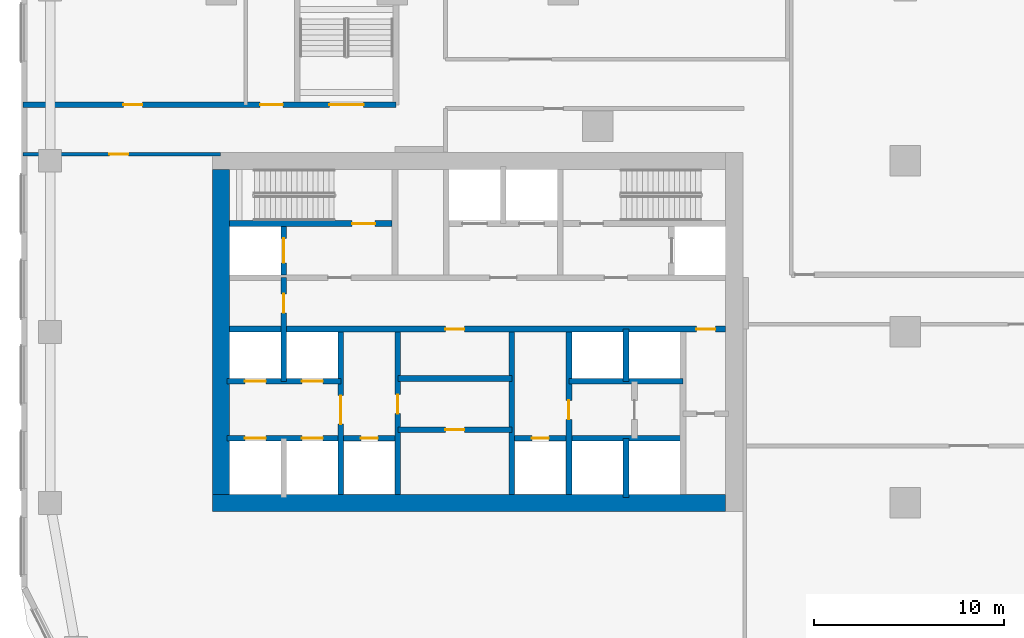
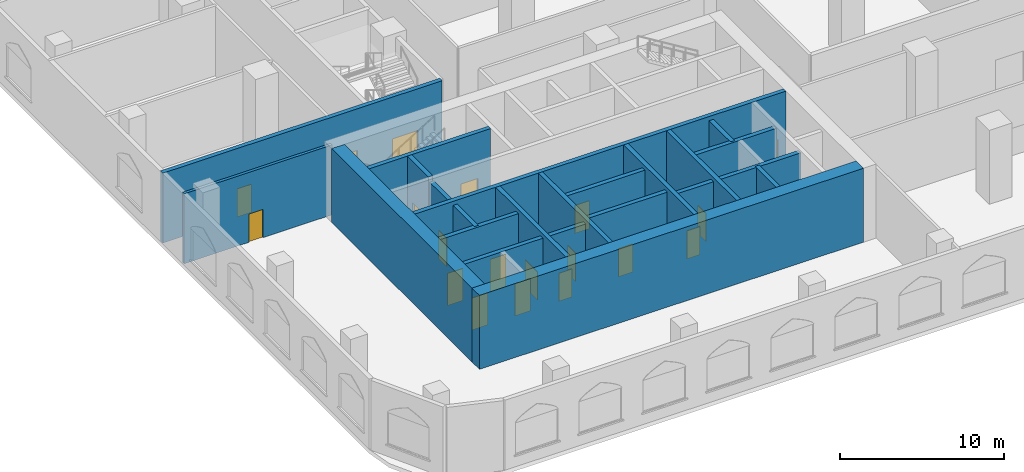
# One storey, part 3 of 31: 20 walls, 19 doors, 19 openings.
"""IFC4 building model written with IfcOpenShell, lengths in metres."""

import ifcopenshell
import ifcopenshell.guid

model = None  # the IFC model being written
_history = None  # IfcOwnerHistory: only IFC2X3 demands one
_inside = {}  # id of a spatial element -> (the spatial element, [elements in it])
_under = {}  # id of a project, library or spatial element -> (it, [spatial elements below it])
_declared = {}  # id of a project -> (the project, [libraries it declares])
_typed = {}  # id of a type object -> (the type object, [elements of that type])
_made_of = {}  # id of a material, layer set ... -> (it, [elements and type objects made of it])


def new_model(schema):
    """Start an empty IFC model of exactly this schema.

    Asked for "IFC4X3", IfcOpenShell would pick the latest addendum, in which some entities
    have other attributes; the version numbers below select the first issue.
    IFC2X3 requires an IfcOwnerHistory on every rooted entity: one is made here for all.
    """
    global model, _history
    if schema == "IFC4X3":
        model = ifcopenshell.file(schema_version=(4, 3, 0, 0))
    else:
        model = ifcopenshell.file(schema=schema)
    _inside.clear()
    _under.clear()
    _declared.clear()
    _typed.clear()
    _made_of.clear()
    _history = None
    if model.schema == "IFC2X3":
        org = make("IfcOrganization", Name="unknown")
        user = make(
            "IfcPersonAndOrganization",
            ThePerson=make("IfcPerson", FamilyName="unknown"),
            TheOrganization=org,
        )
        app = make(
            "IfcApplication",
            ApplicationDeveloper=org,
            Version="unknown",
            ApplicationFullName="unknown",
            ApplicationIdentifier="unknown",
        )
        _history = make(
            "IfcOwnerHistory",
            OwningUser=user,
            OwningApplication=app,
            ChangeAction="ADDED",
            CreationDate=0,
        )
    return model


def make(cls, **values):
    """One entity of the class cls with the attributes given. An attribute that is None is left unset."""
    return model.create_entity(
        cls, **{name: value for name, value in values.items() if value is not None}
    )


def rooted(cls, **values):
    """An entity with a GlobalId (a new one), such as an element, a storey or a relation."""
    return make(cls, GlobalId=ifcopenshell.guid.new(), OwnerHistory=_history, **values)


def si_unit(unit_type, name, prefix=None):
    """IfcSIUnit, for example si_unit("LENGTHUNIT", "METRE", prefix="MILLI")."""
    return make("IfcSIUnit", UnitType=unit_type, Prefix=prefix, Name=name)


def assignment(units):
    """IfcUnitAssignment: the units of a project."""
    return None if units is None else make("IfcUnitAssignment", Units=units)


def point(xyz):
    """IfcCartesianPoint."""
    return None if xyz is None else make("IfcCartesianPoint", Coordinates=xyz)


def direction(xyz):
    """IfcDirection."""
    return None if xyz is None else make("IfcDirection", DirectionRatios=xyz)


def frame(location, z_axis=None, x_axis=None):
    """IfcAxis2Placement3D, a coordinate frame: its origin and axes. An axis left out is left unset."""
    return make(
        "IfcAxis2Placement3D",
        Location=point(location),
        Axis=direction(z_axis),
        RefDirection=direction(x_axis),
    )


def frame_2d(location, x_axis=None):
    """IfcAxis2Placement2D, a coordinate frame in the plane: its origin and x axis."""
    return make(
        "IfcAxis2Placement2D", Location=point(location), RefDirection=direction(x_axis)
    )


def origin():
    """The frame at (0, 0, 0) with its axes left unset."""
    return frame((0.0, 0.0, 0.0))


def place(relative_to, where):
    """IfcLocalPlacement: puts the frame where relative to a parent placement (None: the world)."""
    return make(
        "IfcLocalPlacement", PlacementRelTo=relative_to, RelativePlacement=where
    )


def context(
    kind, dimensions, precision=None, world=None, true_north=None, identifier=None
):
    """IfcGeometricRepresentationContext, for example the 3D "Model" context."""
    return make(
        "IfcGeometricRepresentationContext",
        ContextIdentifier=identifier,
        ContextType=kind,
        CoordinateSpaceDimension=dimensions,
        Precision=precision,
        WorldCoordinateSystem=world,
        TrueNorth=true_north,
    )


def subcontext(parent, identifier, kind, view, scale=None):
    """IfcGeometricRepresentationSubContext, for example "Body" below "Model"."""
    return make(
        "IfcGeometricRepresentationSubContext",
        ContextIdentifier=identifier,
        ContextType=kind,
        ParentContext=parent,
        TargetScale=scale,
        TargetView=view,
    )


def project(units=None, contexts=None):
    """IfcProject with its units and contexts."""
    return rooted(
        "IfcProject",
        Name="project",
        RepresentationContexts=contexts,
        UnitsInContext=assignment(units),
    )


def spatial(cls, under=None, at=None, **own):
    """A site, building, storey or space (cls), placed at a placement, below another one or the project."""
    s = rooted(cls, ObjectPlacement=at, **own)
    if under is not None:
        _under.setdefault(under.id(), (under, []))[1].append(s)
    return s


def profile(cls, at=None, kind="AREA", **sizes):
    """A parametric profile (cls). Its sizes go by their IFC names, for example OverallWidth=200.0."""
    return make(cls, ProfileType=kind, Position=at, **sizes)


def rectangle(**sizes):
    """IfcRectangleProfileDef."""
    return profile("IfcRectangleProfileDef", **sizes)


def extrude(swept, where, along, depth):
    """IfcExtrudedAreaSolid: the profile swept, set in the frame where, extruded along a direction by depth."""
    return make(
        "IfcExtrudedAreaSolid",
        SweptArea=swept,
        Position=where,
        ExtrudedDirection=direction(along),
        Depth=depth,
    )


def shape(context_of_items, identifier, shape_type, items):
    """IfcShapeRepresentation: the items that make up one representation, for example the "Body"."""
    return make(
        "IfcShapeRepresentation",
        ContextOfItems=context_of_items,
        RepresentationIdentifier=identifier,
        RepresentationType=shape_type,
        Items=items,
    )


def material(Name=None, Category=None):
    """IfcMaterial."""
    return make("IfcMaterial", Name=Name, Category=Category)


def layer(
    of_material, thickness, ventilated=None, Name=None, Category=None, Priority=None
):
    """IfcMaterialLayer: one layer of a wall or slab, of a material (None: an air gap)."""
    return make(
        "IfcMaterialLayer",
        Material=of_material,
        LayerThickness=thickness,
        IsVentilated=ventilated,
        Name=Name,
        Category=Category,
        Priority=Priority,
    )


def layer_set(layers, Name=None):
    """IfcMaterialLayerSet."""
    return make("IfcMaterialLayerSet", MaterialLayers=layers, LayerSetName=Name)


def made_of(thing, what):
    """Note that an element or type object is made of a material, layer set ...; save() writes the relation."""
    if what is not None:
        _made_of.setdefault(what.id(), (what, []))[1].append(thing)
    return thing


def type_object(cls, material=None, **own):
    """A type object (cls), such as IfcWallType, which elements share."""
    return made_of(rooted(cls, **own), material)


def element(
    cls,
    number,
    at=None,
    inside=None,
    cuts=None,
    type_object=None,
    material=None,
    context=None,
    identifier="Body",
    shape_type=None,
    held_by="IfcProductDefinitionShape",
    body=None,
    shapes=None,
    **own,
):
    """One element of the class cls, such as IfcWall. Its Tag is "e" and its number.

    at: its placement. inside: the storey or other place that contains it. cuts: it is an
    opening in that element (IfcRelVoidsElement). A single representation is given by context,
    identifier, shape_type and body (its items); several are given by shapes. held_by: the class
    of the entity that holds the representations. save() writes the other relations.
    """
    e = rooted(cls, Tag="e%d" % number, ObjectPlacement=at, **own)
    if body is not None:
        shapes = [shape(context, identifier, shape_type, body)]
    if shapes is not None:
        e.Representation = make(held_by, Representations=shapes)
    if inside is not None:
        _inside.setdefault(inside.id(), (inside, []))[1].append(e)
    if cuts is not None:
        rooted(
            "IfcRelVoidsElement", RelatingBuildingElement=cuts, RelatedOpeningElement=e
        )
    if type_object is not None:
        _typed.setdefault(type_object.id(), (type_object, []))[1].append(e)
    return made_of(e, material)


def fill(opening, filler):
    """IfcRelFillsElement: the door or window that sits in an opening."""
    return rooted(
        "IfcRelFillsElement",
        RelatingOpeningElement=opening,
        RelatedBuildingElement=filler,
    )


def aggregate(whole, parts):
    """IfcRelAggregates: a whole, such as a stair, and the parts it consists of."""
    return rooted("IfcRelAggregates", RelatingObject=whole, RelatedObjects=parts)


def save(model, path):
    """Write the relations noted so far, then the file.

    IfcRelAggregates (storeys below a building ...), IfcRelContainedInSpatialStructure (elements
    in a storey), IfcRelDefinesByType, IfcRelAssociatesMaterial and IfcRelDeclares: one each for
    every whole, place, type object, material and project.
    """
    for whole, parts in _under.values():
        aggregate(whole, parts)
    for where, things in _inside.values():
        rooted(
            "IfcRelContainedInSpatialStructure",
            RelatedElements=things,
            RelatingStructure=where,
        )
    for kind, things in _typed.values():
        rooted("IfcRelDefinesByType", RelatedObjects=things, RelatingType=kind)
    for what, things in _made_of.values():
        rooted("IfcRelAssociatesMaterial", RelatedObjects=things, RelatingMaterial=what)
    for by, libraries in _declared.values():
        rooted("IfcRelDeclares", RelatingContext=by, RelatedDefinitions=libraries)
    model.write(path)


model = new_model("IFC4")

# Units and contexts
model_context = context("Model", 3, precision=1e-05, world=origin(), true_north=direction((0.0, 1.0)))
body_context = subcontext(model_context, "Body", "Model", "MODEL_VIEW")
ifc_project = project(units=[si_unit("LENGTHUNIT", "METRE"), si_unit("AREAUNIT", "SQUARE_METRE"), si_unit("VOLUMEUNIT", "CUBIC_METRE"), si_unit("PLANEANGLEUNIT", "RADIAN"), si_unit("MASSUNIT", "GRAM", prefix="KILO")], contexts=[model_context])

# Site, building, storey
site_placement = place(None, origin())
site = spatial("IfcSite", under=ifc_project, at=site_placement, CompositionType="ELEMENT")
building_placement = place(site_placement, origin())
building = spatial("IfcBuilding", under=site, at=building_placement, Name="Ogive Portal Towers", CompositionType="ELEMENT")
storey_placement = place(building_placement, frame((0.0, 0.0, 8.0)))
storey = spatial("IfcBuildingStorey", under=building, at=storey_placement, Name="L01", CompositionType="ELEMENT", Elevation=8.0)

# Wall, opening, door
ifc_material_1 = material(Name="Concrete C60/75", Category="concrete")
ifc_layer_1 = layer(ifc_material_1, 0.300048828125)
ifc_layer_set_1 = layer_set([ifc_layer_1], Name="CORE WALL 300 C60")
wall_type_1 = type_object("IfcWallType", Name="CORE WALL 300 C60", PredefinedType="SHEAR", material=ifc_layer_set_1)
wall_1_placement = place(storey_placement, frame((37.800048828125, 21.949951171875, 0.0), z_axis=(0.0, 0.0, 1.0), x_axis=(0.0, 1.0, 0.0)))
wall_1 = element("IfcWall", 1, at=wall_1_placement, inside=storey, type_object=wall_type_1, Name="Core wall X1 L01", PredefinedType="SHEAR", context=body_context, shape_type="SweptSolid", body=[
    extrude(rectangle(XDim=8.550048828125, YDim=0.300048828125, at=frame_2d((4.27490234375, 0.0))), origin(), (0.0, 0.0, 1.0), 5.5),
])
opening_1_placement = place(wall_1_placement, frame((3.699951171875, 0.0, 0.0)))
opening_1 = element("IfcOpeningElement", 2, at=opening_1_placement, cuts=wall_1, Name="Opening D103-001", PredefinedType="OPENING", context=body_context, shape_type="SweptSolid", body=[
    extrude(rectangle(XDim=1.5, YDim=2.10009765625, at=frame_2d((0.75, 1.050048828125))), frame((0.0, 0.16015625, 0.0), z_axis=(0.0, -1.0, 0.0), x_axis=(1.0, 0.0, 0.0)), (0.0, 0.0, 1.0), 0.320068359375),
])
ifc_material_2 = material(Name="Steel fire door", Category="steel")
door_type_1 = type_object("IfcDoorType", Name="DT-SWING-1500x2100-FD90S", OperationType="SINGLE_SWING_LEFT", PredefinedType="DOOR", material=ifc_material_2)
door_1_placement = place(opening_1_placement, origin())
door_1 = element("IfcDoor", 3, at=door_1_placement, inside=storey, type_object=door_type_1, Name="Door D103-001", OperationType="SINGLE_SWING_LEFT", OverallHeight=2.10009765625, OverallWidth=1.5, PredefinedType="DOOR", context=body_context, shape_type="SweptSolid", body=[
    extrude(rectangle(XDim=1.5, YDim=2.10009765625, at=frame_2d((0.75, 1.050048828125))), frame((0.0, 0.02490234375, 0.0), z_axis=(0.0, -1.0, 0.0), x_axis=(1.0, 0.0, 0.0)), (0.0, 0.0, 1.0), 0.050048828125),
])
fill(opening_1, door_1)

wall_2_placement = place(storey_placement, frame((40.800048828125, 21.949951171875, 0.0), z_axis=(0.0, 0.0, 1.0), x_axis=(0.0, 1.0, 0.0)))
wall_2 = element("IfcWall", 4, at=wall_2_placement, inside=storey, type_object=wall_type_1, Name="Core wall X2 L01", PredefinedType="SHEAR", context=body_context, shape_type="SweptSolid", body=[
    extrude(rectangle(XDim=8.550048828125, YDim=0.300048828125, at=frame_2d((4.27490234375, 0.0))), origin(), (0.0, 0.0, 1.0), 5.5),
])
opening_2_placement = place(wall_2_placement, frame((4.25, 0.0, 0.0)))
opening_2 = element("IfcOpeningElement", 5, at=opening_2_placement, cuts=wall_2, Name="Opening D103-020", PredefinedType="OPENING", context=body_context, shape_type="SweptSolid", body=[
    extrude(rectangle(XDim=1.0, YDim=2.10009765625, at=frame_2d((0.5, 1.050048828125))), frame((0.0, 0.16015625, 0.0), z_axis=(0.0, -1.0, 0.0), x_axis=(1.0, 0.0, 0.0)), (0.0, 0.0, 1.0), 0.320068359375),
])
door_type_2 = type_object("IfcDoorType", Name="DT-SWING-1000x2100-FD90S", OperationType="SINGLE_SWING_LEFT", PredefinedType="DOOR", material=ifc_material_2)
door_2_placement = place(opening_2_placement, origin())
door_2 = element("IfcDoor", 6, at=door_2_placement, inside=storey, type_object=door_type_2, Name="Door D103-020", OperationType="SINGLE_SWING_RIGHT", OverallHeight=2.10009765625, OverallWidth=1.0, PredefinedType="DOOR", context=body_context, shape_type="SweptSolid", body=[
    extrude(rectangle(XDim=1.0, YDim=2.10009765625, at=frame_2d((0.5, 1.050048828125))), frame((0.0, 0.02490234375, 0.0), z_axis=(0.0, -1.0, 0.0), x_axis=(1.0, 0.0, 0.0)), (0.0, 0.0, 1.0), 0.050048828125),
])
fill(opening_2, door_2)

# Wall
wall_3_placement = place(storey_placement, frame((46.800048828125, 21.949951171875, 0.0), z_axis=(0.0, 0.0, 1.0), x_axis=(0.0, 1.0, 0.0)))
element("IfcWall", 7, at=wall_3_placement, inside=storey, type_object=wall_type_1, Name="Core wall X3 L01", PredefinedType="SHEAR", context=body_context, shape_type="SweptSolid", body=[
    extrude(rectangle(XDim=8.550048828125, YDim=0.300048828125, at=frame_2d((4.27490234375, 0.0))), origin(), (0.0, 0.0, 1.0), 5.5),
])

# Wall, opening, door
wall_4_placement = place(storey_placement, frame((49.800048828125, 21.949951171875, 0.0), z_axis=(0.0, 0.0, 1.0), x_axis=(0.0, 1.0, 0.0)))
wall_4 = element("IfcWall", 8, at=wall_4_placement, inside=storey, type_object=wall_type_1, Name="Core wall X4 L01", PredefinedType="SHEAR", context=body_context, shape_type="SweptSolid", body=[
    extrude(rectangle(XDim=8.550048828125, YDim=0.300048828125, at=frame_2d((4.27490234375, 0.0))), origin(), (0.0, 0.0, 1.0), 5.5),
])
opening_3_placement = place(wall_4_placement, frame((3.949951171875, 0.0, 0.0)))
opening_3 = element("IfcOpeningElement", 9, at=opening_3_placement, cuts=wall_4, Name="Opening D103-022", PredefinedType="OPENING", context=body_context, shape_type="SweptSolid", body=[
    extrude(rectangle(XDim=1.0, YDim=2.10009765625, at=frame_2d((0.5, 1.050048828125))), frame((0.0, 0.16015625, 0.0), z_axis=(0.0, -1.0, 0.0), x_axis=(1.0, 0.0, 0.0)), (0.0, 0.0, 1.0), 0.320068359375),
])
door_3_placement = place(opening_3_placement, origin())
door_3 = element("IfcDoor", 10, at=door_3_placement, inside=storey, type_object=door_type_2, Name="Door D103-022", OperationType="SINGLE_SWING_RIGHT", OverallHeight=2.10009765625, OverallWidth=1.0, PredefinedType="DOOR", context=body_context, shape_type="SweptSolid", body=[
    extrude(rectangle(XDim=1.0, YDim=2.10009765625, at=frame_2d((0.5, 1.050048828125))), frame((0.0, 0.02490234375, 0.0), z_axis=(0.0, -1.0, 0.0), x_axis=(1.0, 0.0, 0.0)), (0.0, 0.0, 1.0), 0.050048828125),
])
fill(opening_3, door_3)

# Wall, openings, doors
wall_5_placement = place(storey_placement, frame((31.949951171875, 30.64990234375, 0.0), z_axis=(0.0, 0.0, 1.0), x_axis=(1.0, 0.0, 0.0)))
wall_5 = element("IfcWall", 11, at=wall_5_placement, inside=storey, type_object=wall_type_1, Name="Core wall Y1 L01", PredefinedType="SHEAR", context=body_context, shape_type="SweptSolid", body=[
    extrude(rectangle(XDim=26.10009765625, YDim=0.300048828125, at=frame_2d((13.050048828125, 0.0))), origin(), (0.0, 0.0, 1.0), 5.5),
])
opening_4_placement = place(wall_5_placement, frame((24.550048828125, 0.0, 0.0)))
opening_4 = element("IfcOpeningElement", 12, at=opening_4_placement, cuts=wall_5, Name="Opening D103-009", PredefinedType="OPENING", context=body_context, shape_type="SweptSolid", body=[
    extrude(rectangle(XDim=1.0, YDim=2.10009765625, at=frame_2d((0.5, 1.050048828125))), frame((0.0, 0.16015625, 0.0), z_axis=(0.0, -1.0, 0.0), x_axis=(1.0, 0.0, 0.0)), (0.0, 0.0, 1.0), 0.320068359375),
])
opening_5_placement = place(wall_5_placement, frame((11.35009765625, 0.0, 0.0)))
opening_5 = element("IfcOpeningElement", 13, at=opening_5_placement, cuts=wall_5, Name="Opening D103-019", PredefinedType="OPENING", context=body_context, shape_type="SweptSolid", body=[
    extrude(rectangle(XDim=1.0, YDim=2.10009765625, at=frame_2d((0.5, 1.050048828125))), frame((0.0, 0.16015625, 0.0), z_axis=(0.0, -1.0, 0.0), x_axis=(1.0, 0.0, 0.0)), (0.0, 0.0, 1.0), 0.320068359375),
])
door_4_placement = place(opening_4_placement, origin())
door_4 = element("IfcDoor", 14, at=door_4_placement, inside=storey, type_object=door_type_2, Name="Door D103-009", OperationType="SINGLE_SWING_LEFT", OverallHeight=2.10009765625, OverallWidth=1.0, PredefinedType="DOOR", context=body_context, shape_type="SweptSolid", body=[
    extrude(rectangle(XDim=1.0, YDim=2.10009765625, at=frame_2d((0.5, 1.050048828125))), frame((0.0, 0.02490234375, 0.0), z_axis=(0.0, -1.0, 0.0), x_axis=(1.0, 0.0, 0.0)), (0.0, 0.0, 1.0), 0.050048828125),
])
fill(opening_4, door_4)
door_5_placement = place(opening_5_placement, origin())
door_5 = element("IfcDoor", 15, at=door_5_placement, inside=storey, type_object=door_type_2, Name="Door D103-019", OperationType="SINGLE_SWING_LEFT", OverallHeight=2.10009765625, OverallWidth=1.0, PredefinedType="DOOR", context=body_context, shape_type="SweptSolid", body=[
    extrude(rectangle(XDim=1.0, YDim=2.10009765625, at=frame_2d((0.5, 1.050048828125))), frame((0.0, 0.02490234375, 0.0), z_axis=(0.0, -1.0, 0.0), x_axis=(1.0, 0.0, 0.0)), (0.0, 0.0, 1.0), 0.050048828125),
])
fill(opening_5, door_5)

# Wall, opening, door
wall_6_placement = place(storey_placement, frame((31.949951171875, 36.199951171875, 0.0), z_axis=(0.0, 0.0, 1.0), x_axis=(1.0, 0.0, 0.0)))
wall_6 = element("IfcWall", 16, at=wall_6_placement, inside=storey, type_object=wall_type_1, Name="Core wall Y3a L01", PredefinedType="SHEAR", context=body_context, shape_type="SweptSolid", body=[
    extrude(rectangle(XDim=8.550048828125, YDim=0.300048828125, at=frame_2d((4.27490234375, 0.0))), origin(), (0.0, 0.0, 1.0), 5.5),
])
opening_6_placement = place(wall_6_placement, frame((6.449951171875, 0.0, 0.0)))
opening_6 = element("IfcOpeningElement", 17, at=opening_6_placement, cuts=wall_6, Name="Opening D103-005", PredefinedType="OPENING", context=body_context, shape_type="SweptSolid", body=[
    extrude(rectangle(XDim=1.199951171875, YDim=2.10009765625, at=frame_2d((0.60009765625, 1.050048828125))), frame((0.0, 0.16015625, 0.0), z_axis=(0.0, -1.0, 0.0), x_axis=(1.0, 0.0, 0.0)), (0.0, 0.0, 1.0), 0.320068359375),
])
door_type_3 = type_object("IfcDoorType", Name="DT-SWING-1200x2100-FD90S", OperationType="SINGLE_SWING_LEFT", PredefinedType="DOOR", material=ifc_material_2)
door_6_placement = place(opening_6_placement, origin())
door_6 = element("IfcDoor", 18, at=door_6_placement, inside=storey, type_object=door_type_3, Name="Door D103-005", OperationType="SINGLE_SWING_RIGHT", OverallHeight=2.10009765625, OverallWidth=1.199951171875, PredefinedType="DOOR", context=body_context, shape_type="SweptSolid", body=[
    extrude(rectangle(XDim=1.199951171875, YDim=2.10009765625, at=frame_2d((0.60009765625, 1.050048828125))), frame((0.0, 0.02490234375, 0.0), z_axis=(0.0, -1.0, 0.0), x_axis=(1.0, 0.0, 0.0)), (0.0, 0.0, 1.0), 0.050048828125),
])
fill(opening_6, door_6)

wall_7_placement = place(storey_placement, frame((34.800048828125, 33.5, 0.0), z_axis=(0.0, 0.0, 1.0), x_axis=(0.0, 1.0, 0.0)))
wall_7 = element("IfcWall", 19, at=wall_7_placement, inside=storey, type_object=wall_type_1, Name="Core wall X8 L01", PredefinedType="SHEAR", context=body_context, shape_type="SweptSolid", body=[
    extrude(rectangle(XDim=2.550048828125, YDim=0.300048828125, at=frame_2d((1.27490234375, 0.0))), origin(), (0.0, 0.0, 1.0), 5.5),
])
opening_7_placement = place(wall_7_placement, frame((0.625, 0.0, 0.0)))
opening_7 = element("IfcOpeningElement", 20, at=opening_7_placement, cuts=wall_7, Name="Opening D103-017", PredefinedType="OPENING", context=body_context, shape_type="SweptSolid", body=[
    extrude(rectangle(XDim=1.300048828125, YDim=2.39990234375, at=frame_2d((0.64990234375, 1.199951171875))), frame((0.0, 0.16015625, 0.0), z_axis=(0.0, -1.0, 0.0), x_axis=(1.0, 0.0, 0.0)), (0.0, 0.0, 1.0), 0.320068359375),
])
ifc_material_3 = material(Name="Stainless steel", Category="steel")
door_type_4 = type_object("IfcDoorType", Name="DT-LD-1300x2400", OperationType="SLIDING_TO_LEFT", PredefinedType="DOOR", material=ifc_material_3)
door_7_placement = place(opening_7_placement, origin())
door_7 = element("IfcDoor", 21, at=door_7_placement, inside=storey, type_object=door_type_4, Name="Door D103-017", OperationType="SLIDING_TO_LEFT", OverallHeight=2.39990234375, OverallWidth=1.300048828125, PredefinedType="DOOR", context=body_context, shape_type="SweptSolid", body=[
    extrude(rectangle(XDim=1.300048828125, YDim=2.39990234375, at=frame_2d((0.64990234375, 1.199951171875))), frame((0.0, 0.02490234375, 0.0), z_axis=(0.0, -1.0, 0.0), x_axis=(1.0, 0.0, 0.0)), (0.0, 0.0, 1.0), 0.050048828125),
])
fill(opening_7, door_7)

# Walls
ifc_layer_2 = layer(ifc_material_1, 0.89990234375)
ifc_layer_set_2 = layer_set([ifc_layer_2], Name="CORE WALL 900 C60")
wall_type_2 = type_object("IfcWallType", Name="CORE WALL 900 C60", PredefinedType="SHEAR", material=ifc_layer_set_2)
wall_8_placement = place(storey_placement, frame((31.5, 21.949951171875, 0.0), z_axis=(0.0, 0.0, 1.0), x_axis=(0.0, 1.0, 0.0)))
element("IfcWall", 22, at=wall_8_placement, inside=storey, type_object=wall_type_2, Name="Core wall W L01", PredefinedType="SHEAR", context=body_context, shape_type="SweptSolid", body=[
    extrude(rectangle(XDim=17.10009765625, YDim=0.89990234375, at=frame_2d((8.550048828125, 0.0))), origin(), (0.0, 0.0, 1.0), 5.5),
])
wall_9_placement = place(storey_placement, frame((31.050048828125, 21.5, 0.0), z_axis=(0.0, 0.0, 1.0), x_axis=(1.0, 0.0, 0.0)))
element("IfcWall", 23, at=wall_9_placement, inside=storey, type_object=wall_type_2, Name="Core wall S L01", PredefinedType="SHEAR", context=body_context, shape_type="SweptSolid", body=[
    extrude(rectangle(XDim=27.0, YDim=0.89990234375, at=frame_2d((13.5, 0.0))), origin(), (0.0, 0.0, 1.0), 5.5),
])

# Wall, openings, doors
ifc_material_4 = material(Name="Concrete C50/60", Category="concrete")
ifc_layer_3 = layer(ifc_material_4, 0.300048828125)
ifc_layer_set_3 = layer_set([ifc_layer_3], Name="STAIR WALL 300 C50")
wall_type_3 = type_object("IfcWallType", Name="STAIR WALL 300 C50", PredefinedType="SHEAR", material=ifc_layer_set_3)
wall_10_placement = place(storey_placement, frame((21.070068359375, 42.449951171875, 0.0), z_axis=(0.0, 0.0, 1.0), x_axis=(1.0, 0.0, 0.0)))
wall_10 = element("IfcWall", 24, at=wall_10_placement, inside=storey, type_object=wall_type_3, Name="Stair wall ST-P2 L01", PredefinedType="SHEAR", context=body_context, shape_type="SweptSolid", body=[
    extrude(rectangle(XDim=19.6298828125, YDim=0.300048828125, at=frame_2d((9.81494140625, 0.0))), origin(), (0.0, 0.0, 1.0), 5.199951171875),
])
opening_8_placement = place(wall_10_placement, frame((16.1298828125, 0.0, 0.0)))
opening_8 = element("IfcOpeningElement", 25, at=opening_8_placement, cuts=wall_10, Name="Opening P01-004", PredefinedType="OPENING", context=body_context, shape_type="SweptSolid", body=[
    extrude(rectangle(XDim=1.800048828125, YDim=2.10009765625, at=frame_2d((0.89990234375, 1.050048828125))), frame((0.0, 0.16015625, 0.0), z_axis=(0.0, -1.0, 0.0), x_axis=(1.0, 0.0, 0.0)), (0.0, 0.0, 1.0), 0.320068359375),
])
opening_9_placement = place(wall_10_placement, frame((12.47998046875, 0.0, 0.0)))
opening_9 = element("IfcOpeningElement", 26, at=opening_9_placement, cuts=wall_10, Name="Opening P01-005", PredefinedType="OPENING", context=body_context, shape_type="SweptSolid", body=[
    extrude(rectangle(XDim=1.199951171875, YDim=2.10009765625, at=frame_2d((0.60009765625, 1.050048828125))), frame((0.0, 0.16015625, 0.0), z_axis=(0.0, -1.0, 0.0), x_axis=(1.0, 0.0, 0.0)), (0.0, 0.0, 1.0), 0.320068359375),
])
opening_10_placement = place(wall_10_placement, frame((5.284912109375, 0.0, 0.0)))
opening_10 = element("IfcOpeningElement", 27, at=opening_10_placement, cuts=wall_10, Name="Opening P01-020", PredefinedType="OPENING", context=body_context, shape_type="SweptSolid", body=[
    extrude(rectangle(XDim=1.0, YDim=2.10009765625, at=frame_2d((0.5, 1.050048828125))), frame((0.0, 0.16015625, 0.0), z_axis=(0.0, -1.0, 0.0), x_axis=(1.0, 0.0, 0.0)), (0.0, 0.0, 1.0), 0.320068359375),
])
door_8_placement = place(opening_10_placement, origin())
door_8 = element("IfcDoor", 28, at=door_8_placement, inside=storey, type_object=door_type_2, Name="Door P01-020", OperationType="SINGLE_SWING_RIGHT", OverallHeight=2.10009765625, OverallWidth=1.0, PredefinedType="DOOR", context=body_context, shape_type="SweptSolid", body=[
    extrude(rectangle(XDim=1.0, YDim=2.10009765625, at=frame_2d((0.5, 1.050048828125))), frame((0.0, 0.02490234375, 0.0), z_axis=(0.0, -1.0, 0.0), x_axis=(1.0, 0.0, 0.0)), (0.0, 0.0, 1.0), 0.050048828125),
])
fill(opening_10, door_8)
door_9_placement = place(opening_9_placement, origin())
door_9 = element("IfcDoor", 29, at=door_9_placement, inside=storey, type_object=door_type_3, Name="Door P01-005", OperationType="SINGLE_SWING_LEFT", OverallHeight=2.10009765625, OverallWidth=1.199951171875, PredefinedType="DOOR", context=body_context, shape_type="SweptSolid", body=[
    extrude(rectangle(XDim=1.199951171875, YDim=2.10009765625, at=frame_2d((0.60009765625, 1.050048828125))), frame((0.0, 0.02490234375, 0.0), z_axis=(0.0, -1.0, 0.0), x_axis=(1.0, 0.0, 0.0)), (0.0, 0.0, 1.0), 0.050048828125),
])
fill(opening_9, door_9)
door_type_5 = type_object("IfcDoorType", Name="DT-SWING-1800x2100-FD90S", OperationType="SINGLE_SWING_LEFT", PredefinedType="DOOR", material=ifc_material_2)
door_10_placement = place(opening_8_placement, origin())
door_10 = element("IfcDoor", 30, at=door_10_placement, inside=storey, type_object=door_type_5, Name="Door P01-004", OperationType="SINGLE_SWING_RIGHT", OverallHeight=2.10009765625, OverallWidth=1.800048828125, PredefinedType="DOOR", context=body_context, shape_type="SweptSolid", body=[
    extrude(rectangle(XDim=1.800048828125, YDim=2.10009765625, at=frame_2d((0.89990234375, 1.050048828125))), frame((0.0, 0.02490234375, 0.0), z_axis=(0.0, -1.0, 0.0), x_axis=(1.0, 0.0, 0.0)), (0.0, 0.0, 1.0), 0.050048828125),
])
fill(opening_8, door_10)

# Wall, opening, door
ifc_material_5 = material(Name="Gypsum board partition on steel studs", Category="steel")
ifc_layer_4 = layer(ifc_material_5, 0.199951171875)
ifc_layer_set_4 = layer_set([ifc_layer_4], Name="WT-PART-200-EI 60")
wall_type_4 = type_object("IfcWallType", Name="WT-PART-200-EI 60", PredefinedType="PARTITIONING", material=ifc_layer_set_4)
wall_11_placement = place(storey_placement, frame((21.070068359375, 39.85009765625, 0.0), z_axis=(0.0, 0.0, 1.0), x_axis=(1.0, 0.0, 0.0)))
wall_11 = element("IfcWall", 31, at=wall_11_placement, inside=storey, type_object=wall_type_4, Name="Wall L01:w020", PredefinedType="PARTITIONING", context=body_context, shape_type="SweptSolid", body=[
    extrude(rectangle(XDim=10.409912109375, YDim=0.199951171875, at=frame_2d((5.205078125, 0.0))), origin(), (0.0, 0.0, 1.0), 5.199951171875),
])
opening_11_placement = place(wall_11_placement, frame((4.556884765625, 0.0, 0.0)))
opening_11 = element("IfcOpeningElement", 32, at=opening_11_placement, cuts=wall_11, Name="Opening P01-019", PredefinedType="OPENING", context=body_context, shape_type="SweptSolid", body=[
    extrude(rectangle(XDim=1.0, YDim=2.10009765625, at=frame_2d((0.5, 1.050048828125))), frame((0.0, 0.10986328125, 0.0), z_axis=(0.0, -1.0, 0.0), x_axis=(1.0, 0.0, 0.0)), (0.0, 0.0, 1.0), 0.219970703125),
])
door_type_6 = type_object("IfcDoorType", Name="DT-SWING-1000x2100-FD60S", OperationType="SINGLE_SWING_LEFT", PredefinedType="DOOR", material=ifc_material_2)
door_11_placement = place(opening_11_placement, origin())
door_11 = element("IfcDoor", 33, at=door_11_placement, inside=storey, type_object=door_type_6, Name="Door P01-019", OperationType="SINGLE_SWING_LEFT", OverallHeight=2.10009765625, OverallWidth=1.0, PredefinedType="DOOR", context=body_context, shape_type="SweptSolid", body=[
    extrude(rectangle(XDim=1.0, YDim=2.10009765625, at=frame_2d((0.5, 1.050048828125))), frame((0.0, 0.02490234375, 0.0), z_axis=(0.0, -1.0, 0.0), x_axis=(1.0, 0.0, 0.0)), (0.0, 0.0, 1.0), 0.050048828125),
])
fill(opening_11, door_11)

ifc_layer_5 = layer(ifc_material_5, 0.300048828125)
ifc_layer_set_5 = layer_set([ifc_layer_5], Name="WT-PART-300")
wall_type_5 = type_object("IfcWallType", Name="WT-PART-300", PredefinedType="PARTITIONING", material=ifc_layer_set_5)
wall_12_placement = place(storey_placement, frame((40.800048828125, 25.35009765625, 0.0), z_axis=(0.0, 0.0, 1.0), x_axis=(1.0, 0.0, 0.0)))
wall_12 = element("IfcWall", 34, at=wall_12_placement, inside=storey, type_object=wall_type_5, Name="Wall pw:003:L01", PredefinedType="PARTITIONING", context=body_context, shape_type="SweptSolid", body=[
    extrude(rectangle(XDim=6.0, YDim=0.300048828125, at=frame_2d((3.0, 0.0))), origin(), (0.0, 0.0, 1.0), 5.199951171875),
])
opening_12_placement = place(wall_12_placement, frame((2.5, 0.0, 0.0)))
opening_12 = element("IfcOpeningElement", 35, at=opening_12_placement, cuts=wall_12, Name="Opening D103-021", PredefinedType="OPENING", context=body_context, shape_type="SweptSolid", body=[
    extrude(rectangle(XDim=1.0, YDim=2.10009765625, at=frame_2d((0.5, 1.050048828125))), frame((0.0, 0.16015625, 0.0), z_axis=(0.0, -1.0, 0.0), x_axis=(1.0, 0.0, 0.0)), (0.0, 0.0, 1.0), 0.320068359375),
])
door_12_placement = place(opening_12_placement, origin())
door_12 = element("IfcDoor", 36, at=door_12_placement, inside=storey, type_object=door_type_6, Name="Door D103-021", OperationType="SINGLE_SWING_RIGHT", OverallHeight=2.10009765625, OverallWidth=1.0, PredefinedType="DOOR", context=body_context, shape_type="SweptSolid", body=[
    extrude(rectangle(XDim=1.0, YDim=2.10009765625, at=frame_2d((0.5, 1.050048828125))), frame((0.0, 0.02490234375, 0.0), z_axis=(0.0, -1.0, 0.0), x_axis=(1.0, 0.0, 0.0)), (0.0, 0.0, 1.0), 0.050048828125),
])
fill(opening_12, door_12)

# Wall
wall_13_placement = place(storey_placement, frame((40.800048828125, 28.050048828125, 0.0), z_axis=(0.0, 0.0, 1.0), x_axis=(1.0, 0.0, 0.0)))
element("IfcWall", 37, at=wall_13_placement, inside=storey, type_object=wall_type_5, Name="Wall pw:007:L01", PredefinedType="PARTITIONING", context=body_context, shape_type="SweptSolid", body=[
    extrude(rectangle(XDim=6.0, YDim=0.300048828125, at=frame_2d((3.0, 0.0))), origin(), (0.0, 0.0, 1.0), 5.199951171875),
])

# Wall, openings, doors
ifc_material_6 = material(Name="Concrete C40/50", Category="concrete")
ifc_layer_6 = layer(ifc_material_6, 0.300048828125)
ifc_layer_set_6 = layer_set([ifc_layer_6], Name="WT-SHAFT-300")
wall_type_6 = type_object("IfcWallType", Name="WT-SHAFT-300", PredefinedType="SOLIDWALL", material=ifc_layer_set_6)
wall_14_placement = place(storey_placement, frame((31.800048828125, 24.89990234375, 0.0), z_axis=(0.0, 0.0, 1.0), x_axis=(1.0, 0.0, 0.0)))
wall_14 = element("IfcWall", 38, at=wall_14_placement, inside=storey, type_object=wall_type_6, Name="Wall pw:001:L01", PredefinedType="SOLIDWALL", context=body_context, shape_type="SweptSolid", body=[
    extrude(rectangle(XDim=9.0, YDim=0.300048828125, at=frame_2d((4.5, 0.0))), origin(), (0.0, 0.0, 1.0), 5.199951171875),
])
opening_13_placement = place(wall_14_placement, frame((7.050048828125, 0.0, 0.0)))
opening_13 = element("IfcOpeningElement", 39, at=opening_13_placement, cuts=wall_14, Name="Opening D103-007", PredefinedType="OPENING", context=body_context, shape_type="SweptSolid", body=[
    extrude(rectangle(XDim=0.89990234375, YDim=2.10009765625, at=frame_2d((0.449951171875, 1.050048828125))), frame((0.0, 0.16015625, 0.0), z_axis=(0.0, -1.0, 0.0), x_axis=(1.0, 0.0, 0.0)), (0.0, 0.0, 1.0), 0.320068359375),
])
opening_14_placement = place(wall_14_placement, frame((0.949951171875, 0.0, 0.0)))
opening_14 = element("IfcOpeningElement", 40, at=opening_14_placement, cuts=wall_14, Name="Opening D103-011", PredefinedType="OPENING", context=body_context, shape_type="SweptSolid", body=[
    extrude(rectangle(XDim=1.10009765625, YDim=2.39990234375, at=frame_2d((0.550048828125, 1.199951171875))), frame((0.0, 0.16015625, 0.0), z_axis=(0.0, -1.0, 0.0), x_axis=(1.0, 0.0, 0.0)), (0.0, 0.0, 1.0), 0.320068359375),
])
opening_15_placement = place(wall_14_placement, frame((3.949951171875, 0.0, 0.0)))
opening_15 = element("IfcOpeningElement", 41, at=opening_15_placement, cuts=wall_14, Name="Opening D103-012", PredefinedType="OPENING", context=body_context, shape_type="SweptSolid", body=[
    extrude(rectangle(XDim=1.10009765625, YDim=2.39990234375, at=frame_2d((0.550048828125, 1.199951171875))), frame((0.0, 0.16015625, 0.0), z_axis=(0.0, -1.0, 0.0), x_axis=(1.0, 0.0, 0.0)), (0.0, 0.0, 1.0), 0.320068359375),
])
door_type_7 = type_object("IfcDoorType", Name="DT-LD-1100x2400", OperationType="SLIDING_TO_LEFT", PredefinedType="DOOR", material=ifc_material_3)
door_13_placement = place(opening_14_placement, origin())
door_13 = element("IfcDoor", 42, at=door_13_placement, inside=storey, type_object=door_type_7, Name="Door D103-011", OperationType="SLIDING_TO_LEFT", OverallHeight=2.39990234375, OverallWidth=1.10009765625, PredefinedType="DOOR", context=body_context, shape_type="SweptSolid", body=[
    extrude(rectangle(XDim=1.10009765625, YDim=2.39990234375, at=frame_2d((0.550048828125, 1.199951171875))), frame((0.0, 0.02490234375, 0.0), z_axis=(0.0, -1.0, 0.0), x_axis=(1.0, 0.0, 0.0)), (0.0, 0.0, 1.0), 0.050048828125),
])
fill(opening_14, door_13)
door_14_placement = place(opening_15_placement, origin())
door_14 = element("IfcDoor", 43, at=door_14_placement, inside=storey, type_object=door_type_7, Name="Door D103-012", OperationType="SLIDING_TO_LEFT", OverallHeight=2.39990234375, OverallWidth=1.10009765625, PredefinedType="DOOR", context=body_context, shape_type="SweptSolid", body=[
    extrude(rectangle(XDim=1.10009765625, YDim=2.39990234375, at=frame_2d((0.550048828125, 1.199951171875))), frame((0.0, 0.02490234375, 0.0), z_axis=(0.0, -1.0, 0.0), x_axis=(1.0, 0.0, 0.0)), (0.0, 0.0, 1.0), 0.050048828125),
])
fill(opening_15, door_14)
door_type_8 = type_object("IfcDoorType", Name="DT-SWING-900x2100-FD90S", OperationType="SINGLE_SWING_LEFT", PredefinedType="DOOR", material=ifc_material_2)
door_15_placement = place(opening_13_placement, origin())
door_15 = element("IfcDoor", 44, at=door_15_placement, inside=storey, type_object=door_type_8, Name="Riser access door D103-007", OperationType="SINGLE_SWING_LEFT", OverallHeight=2.10009765625, OverallWidth=0.89990234375, PredefinedType="DOOR", context=body_context, shape_type="SweptSolid", body=[
    extrude(rectangle(XDim=0.89990234375, YDim=2.10009765625, at=frame_2d((0.449951171875, 1.050048828125))), frame((0.0, 0.02490234375, 0.0), z_axis=(0.0, -1.0, 0.0), x_axis=(1.0, 0.0, 0.0)), (0.0, 0.0, 1.0), 0.050048828125),
])
fill(opening_13, door_15)

# Wall, opening, door
wall_15_placement = place(storey_placement, frame((46.800048828125, 24.89990234375, 0.0), z_axis=(0.0, 0.0, 1.0), x_axis=(1.0, 0.0, 0.0)))
wall_15 = element("IfcWall", 45, at=wall_15_placement, inside=storey, type_object=wall_type_6, Name="Wall pw:002:L01", PredefinedType="SOLIDWALL", context=body_context, shape_type="SweptSolid", body=[
    extrude(rectangle(XDim=9.0, YDim=0.300048828125, at=frame_2d((4.5, 0.0))), origin(), (0.0, 0.0, 1.0), 5.199951171875),
])
opening_16_placement = place(wall_15_placement, frame((1.050048828125, 0.0, 0.0)))
opening_16 = element("IfcOpeningElement", 46, at=opening_16_placement, cuts=wall_15, Name="Opening D103-008", PredefinedType="OPENING", context=body_context, shape_type="SweptSolid", body=[
    extrude(rectangle(XDim=0.89990234375, YDim=2.10009765625, at=frame_2d((0.449951171875, 1.050048828125))), frame((0.0, 0.16015625, 0.0), z_axis=(0.0, -1.0, 0.0), x_axis=(1.0, 0.0, 0.0)), (0.0, 0.0, 1.0), 0.320068359375),
])
door_16_placement = place(opening_16_placement, origin())
door_16 = element("IfcDoor", 47, at=door_16_placement, inside=storey, type_object=door_type_8, Name="Riser access door D103-008", OperationType="SINGLE_SWING_RIGHT", OverallHeight=2.10009765625, OverallWidth=0.89990234375, PredefinedType="DOOR", context=body_context, shape_type="SweptSolid", body=[
    extrude(rectangle(XDim=0.89990234375, YDim=2.10009765625, at=frame_2d((0.449951171875, 1.050048828125))), frame((0.0, 0.02490234375, 0.0), z_axis=(0.0, -1.0, 0.0), x_axis=(1.0, 0.0, 0.0)), (0.0, 0.0, 1.0), 0.050048828125),
])
fill(opening_16, door_16)

# Wall, openings, doors
wall_16_placement = place(storey_placement, frame((31.800048828125, 27.89990234375, 0.0), z_axis=(0.0, 0.0, 1.0), x_axis=(1.0, 0.0, 0.0)))
wall_16 = element("IfcWall", 48, at=wall_16_placement, inside=storey, type_object=wall_type_6, Name="Wall pw:005:L01", PredefinedType="SOLIDWALL", context=body_context, shape_type="SweptSolid", body=[
    extrude(rectangle(XDim=6.0, YDim=0.300048828125, at=frame_2d((3.0, 0.0))), origin(), (0.0, 0.0, 1.0), 5.199951171875),
])
opening_17_placement = place(wall_16_placement, frame((0.949951171875, 0.0, 0.0)))
opening_17 = element("IfcOpeningElement", 49, at=opening_17_placement, cuts=wall_16, Name="Opening D103-013", PredefinedType="OPENING", context=body_context, shape_type="SweptSolid", body=[
    extrude(rectangle(XDim=1.10009765625, YDim=2.39990234375, at=frame_2d((0.550048828125, 1.199951171875))), frame((0.0, 0.16015625, 0.0), z_axis=(0.0, -1.0, 0.0), x_axis=(1.0, 0.0, 0.0)), (0.0, 0.0, 1.0), 0.320068359375),
])
opening_18_placement = place(wall_16_placement, frame((3.949951171875, 0.0, 0.0)))
opening_18 = element("IfcOpeningElement", 50, at=opening_18_placement, cuts=wall_16, Name="Opening D103-014", PredefinedType="OPENING", context=body_context, shape_type="SweptSolid", body=[
    extrude(rectangle(XDim=1.10009765625, YDim=2.39990234375, at=frame_2d((0.550048828125, 1.199951171875))), frame((0.0, 0.16015625, 0.0), z_axis=(0.0, -1.0, 0.0), x_axis=(1.0, 0.0, 0.0)), (0.0, 0.0, 1.0), 0.320068359375),
])
door_17_placement = place(opening_17_placement, origin())
door_17 = element("IfcDoor", 51, at=door_17_placement, inside=storey, type_object=door_type_7, Name="Door D103-013", OperationType="SLIDING_TO_LEFT", OverallHeight=2.39990234375, OverallWidth=1.10009765625, PredefinedType="DOOR", context=body_context, shape_type="SweptSolid", body=[
    extrude(rectangle(XDim=1.10009765625, YDim=2.39990234375, at=frame_2d((0.550048828125, 1.199951171875))), frame((0.0, 0.02490234375, 0.0), z_axis=(0.0, -1.0, 0.0), x_axis=(1.0, 0.0, 0.0)), (0.0, 0.0, 1.0), 0.050048828125),
])
fill(opening_17, door_17)
door_18_placement = place(opening_18_placement, origin())
door_18 = element("IfcDoor", 52, at=door_18_placement, inside=storey, type_object=door_type_7, Name="Door D103-014", OperationType="SLIDING_TO_LEFT", OverallHeight=2.39990234375, OverallWidth=1.10009765625, PredefinedType="DOOR", context=body_context, shape_type="SweptSolid", body=[
    extrude(rectangle(XDim=1.10009765625, YDim=2.39990234375, at=frame_2d((0.550048828125, 1.199951171875))), frame((0.0, 0.02490234375, 0.0), z_axis=(0.0, -1.0, 0.0), x_axis=(1.0, 0.0, 0.0)), (0.0, 0.0, 1.0), 0.050048828125),
])
fill(opening_18, door_18)

# Wall
wall_17_placement = place(storey_placement, frame((49.800048828125, 27.89990234375, 0.0), z_axis=(0.0, 0.0, 1.0), x_axis=(1.0, 0.0, 0.0)))
element("IfcWall", 53, at=wall_17_placement, inside=storey, type_object=wall_type_6, Name="Wall pw:006:L01", PredefinedType="SOLIDWALL", context=body_context, shape_type="SweptSolid", body=[
    extrude(rectangle(XDim=6.0, YDim=0.300048828125, at=frame_2d((3.0, 0.0))), origin(), (0.0, 0.0, 1.0), 5.199951171875),
])

# Wall, opening, door
wall_18_placement = place(storey_placement, frame((34.800048828125, 27.89990234375, 0.0), z_axis=(0.0, 0.0, 1.0), x_axis=(0.0, 1.0, 0.0)))
wall_18 = element("IfcWall", 54, at=wall_18_placement, inside=storey, type_object=wall_type_6, Name="Wall pw:012:L01", PredefinedType="SOLIDWALL", context=body_context, shape_type="SweptSolid", body=[
    extrude(rectangle(XDim=5.4501953125, YDim=0.300048828125, at=frame_2d((2.72509765625, 0.0))), origin(), (0.0, 0.0, 1.0), 5.199951171875),
])
opening_19_placement = place(wall_18_placement, frame((3.60009765625, 0.0, 0.0)))
opening_19 = element("IfcOpeningElement", 55, at=opening_19_placement, cuts=wall_18, Name="Opening D103-024", PredefinedType="OPENING", context=body_context, shape_type="SweptSolid", body=[
    extrude(rectangle(XDim=1.0, YDim=2.10009765625, at=frame_2d((0.5, 1.050048828125))), frame((0.0, 0.16015625, 0.0), z_axis=(0.0, -1.0, 0.0), x_axis=(1.0, 0.0, 0.0)), (0.0, 0.0, 1.0), 0.320068359375),
])
door_19_placement = place(opening_19_placement, origin())
door_19 = element("IfcDoor", 56, at=door_19_placement, inside=storey, type_object=door_type_2, Name="Door D103-024", OperationType="SINGLE_SWING_RIGHT", OverallHeight=2.10009765625, OverallWidth=1.0, PredefinedType="DOOR", context=body_context, shape_type="SweptSolid", body=[
    extrude(rectangle(XDim=1.0, YDim=2.10009765625, at=frame_2d((0.5, 1.050048828125))), frame((0.0, 0.02490234375, 0.0), z_axis=(0.0, -1.0, 0.0), x_axis=(1.0, 0.0, 0.0)), (0.0, 0.0, 1.0), 0.050048828125),
])
fill(opening_19, door_19)

# Walls
wall_19_placement = place(storey_placement, frame((52.800048828125, 21.800048828125, 0.0), z_axis=(0.0, 0.0, 1.0), x_axis=(0.0, 1.0, 0.0)))
element("IfcWall", 57, at=wall_19_placement, inside=storey, type_object=wall_type_6, Name="Wall pw:016:L01", PredefinedType="SOLIDWALL", context=body_context, shape_type="SweptSolid", body=[
    extrude(rectangle(XDim=3.099853515625, YDim=0.300048828125, at=frame_2d((1.5498046875, 0.0))), origin(), (0.0, 0.0, 1.0), 5.199951171875),
])
wall_20_placement = place(storey_placement, frame((52.800048828125, 27.89990234375, 0.0), z_axis=(0.0, 0.0, 1.0), x_axis=(0.0, 1.0, 0.0)))
element("IfcWall", 58, at=wall_20_placement, inside=storey, type_object=wall_type_6, Name="Wall pw:017:L01", PredefinedType="SOLIDWALL", context=body_context, shape_type="SweptSolid", body=[
    extrude(rectangle(XDim=2.75, YDim=0.300048828125, at=frame_2d((1.375, 0.0))), origin(), (0.0, 0.0, 1.0), 5.199951171875),
])

save(model, "model.ifc")
